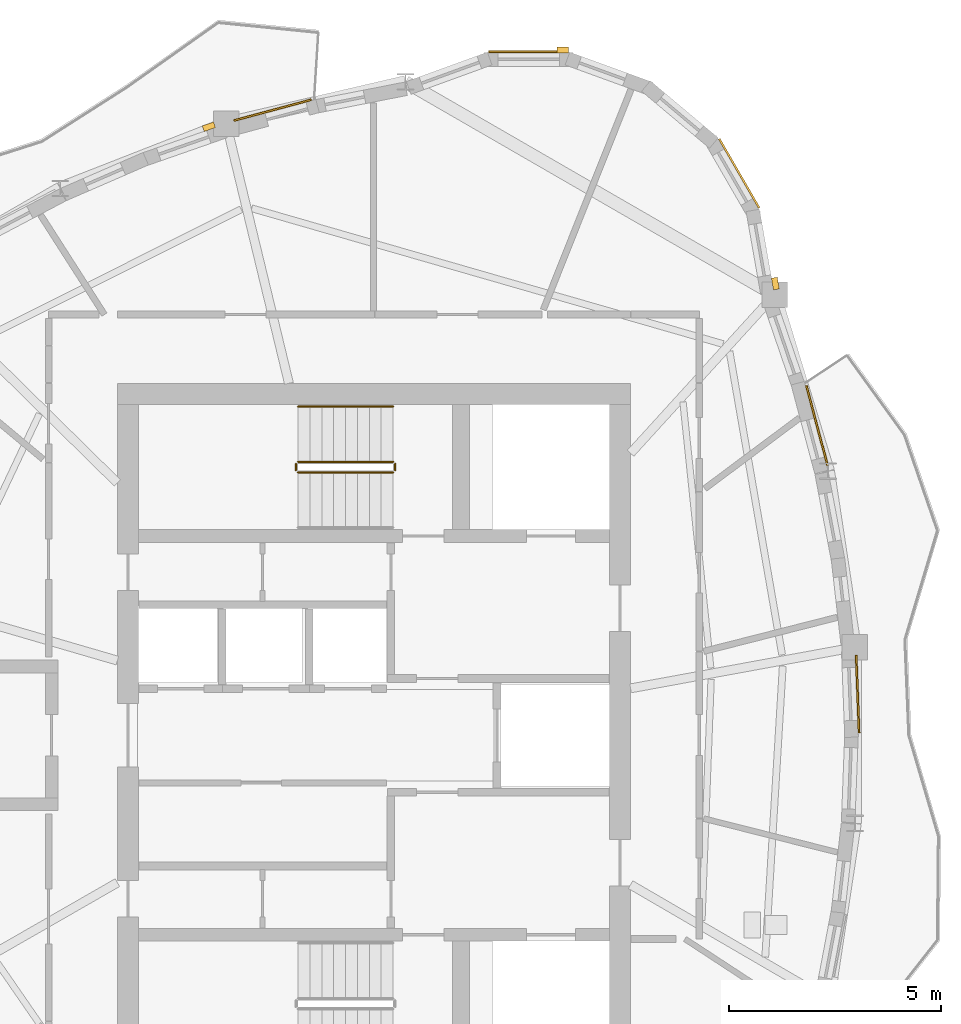
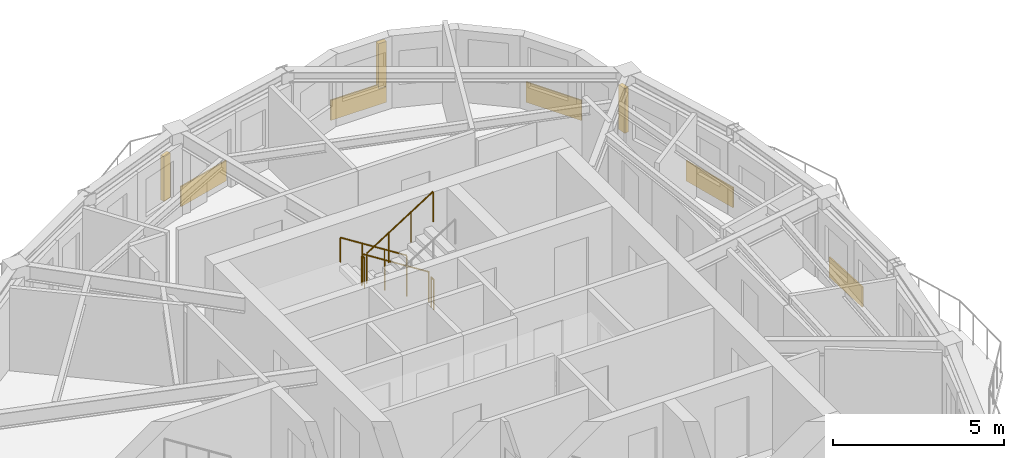
# One storey, part 10 of 11: 5 coverings, 5 railings, 3 shading devices.
"""IFC4 building model written with IfcOpenShell, lengths in metres."""

from ifc_helpers import new_model, si_unit, direction, frame, origin, origin_2d, place, context, subcontext, project, spatial, rectangle, circle, extrude, source, transform, mapped, material, layer, layer_set, type_object, element, save


model = new_model("IFC4")

# Units and contexts
model_context = context("Model", 3, precision=1e-05, world=origin(), true_north=direction((0.0, 1.0)))
body_context = subcontext(model_context, "Body", "Model", "MODEL_VIEW")
ifc_project = project(units=[si_unit("LENGTHUNIT", "METRE"), si_unit("AREAUNIT", "SQUARE_METRE"), si_unit("VOLUMEUNIT", "CUBIC_METRE"), si_unit("PLANEANGLEUNIT", "RADIAN"), si_unit("MASSUNIT", "GRAM", prefix="KILO")], contexts=[model_context])

# Site, building, storey
site_placement = place(None, origin())
site = spatial("IfcSite", under=ifc_project, at=site_placement, CompositionType="ELEMENT")
building_placement = place(site_placement, origin())
building = spatial("IfcBuilding", under=site, at=building_placement, Name="Qafzar Sky-Pleat Residences", CompositionType="ELEMENT")
storey_placement = place(building_placement, frame((0.0, 0.0, 237.199951171875)))
storey = spatial("IfcBuildingStorey", under=building, at=storey_placement, Name="L71", CompositionType="ELEMENT", Elevation=237.199951171875)

# Shading devices
ifc_material_1 = material(Name="Honed Riyadh limestone solar fin", Category="masonry")
ifc_layer_1 = layer(ifc_material_1, 0.139892578125)
ifc_layer_set_1 = layer_set([ifc_layer_1], Name="Honed Riyadh limestone solar fin")
shading_device_type = type_object("IfcShadingDeviceType", Name="SHD-FIN-STONE", PredefinedType="SHUTTER", material=ifc_layer_set_1)
shared_shape_1 = source(origin(), body_context, "Body", "SweptSolid", [
    extrude(rectangle(XDim=0.139892578125, YDim=0.280029296875, at=origin_2d()), origin(), (0.0, 0.0, 1.0), 1.60009765625),
])
for number, where, z_axis, x_axis, name in (
    (1, (39.813720703125, 36.652099609375, 0.60009765625), (0.0, 0.0, 1.0), (0.984807537751, 0.173649398471, 0.0), "L71 Limestone Solar Fin 33"),
    (2, (34.800048828125, 42.160400390625, 0.60009765625), (0.0, 0.0, 1.0), (0.0, 1.0, 0.0), "L71 Limestone Solar Fin 37"),
    (3, (26.457275390625, 40.349365234375, 0.60009765625), (0.0, 0.0, 1.0), (-0.329579093923, 0.944127968471, 0.0), "L71 Limestone Solar Fin 41"),
):
    element("IfcShadingDevice", number, at=place(storey_placement, frame(where, z_axis=z_axis, x_axis=x_axis)), inside=storey, type_object=shading_device_type, Name=name, PredefinedType="SHUTTER", context=body_context, shape_type="MappedRepresentation", body=[
        mapped(shared_shape_1, transform((0.0, 0.0, 0.0), x_axis=(1.0, 0.0, 0.0), y_axis=(0.0, 1.0, 0.0), z_axis=(0.0, 0.0, 1.0), scale=1.0)),
    ])

# Coverings
ifc_material_2 = material(Name="Honed Riyadh Tuwaiq limestone cladding", Category="masonry")
ifc_layer_2 = layer(ifc_material_2, 0.044921875)
ifc_layer_set_2 = layer_set([ifc_layer_2], Name="Honed Riyadh Tuwaiq limestone cladding")
covering_type = type_object("IfcCoveringType", Name="COV-CLAD-STONE", PredefinedType="CLADDING", material=ifc_layer_set_2)
shared_shape_2 = source(origin(), body_context, "Body", "SweptSolid", [
    extrude(rectangle(XDim=1.88134765625, YDim=0.044921875, at=origin_2d()), origin(), (0.0, 0.0, 1.0), 0.719970703125),
])
covering_1_placement = place(storey_placement, frame((33.9951171875, 42.117431640625, 0.02001953125), z_axis=(0.0, 0.0, 1.0), x_axis=(-1.0, 0.0, 0.0)))
element("IfcCovering", 4, at=covering_1_placement, inside=storey, type_object=covering_type, Name="L71 Riyadh Limestone Spandrel Cladding 37", PredefinedType="CLADDING", context=body_context, shape_type="MappedRepresentation", body=[
    mapped(shared_shape_2, transform((0.0, 0.0, 0.0), x_axis=(1.0, 0.0, 0.0), y_axis=(0.0, 1.0, 0.0), z_axis=(0.0, 0.0, 1.0), scale=1.0)),
])
shared_shape_3 = source(origin(), body_context, "Body", "SweptSolid", [
    extrude(rectangle(XDim=1.881103515625, YDim=0.044921875, at=origin_2d()), origin(), (0.0, 0.0, 1.0), 0.719970703125),
])
covering_2_placement = place(storey_placement, frame((38.960693359375, 39.25048828125, 0.02001953125), z_axis=(0.0, 0.0, 1.0), x_axis=(-0.499993018474, 0.866029434533, 0.0)))
element("IfcCovering", 5, at=covering_2_placement, inside=storey, type_object=covering_type, Name="L71 Riyadh Limestone Spandrel Cladding 34", PredefinedType="CLADDING", context=body_context, shape_type="MappedRepresentation", body=[
    mapped(shared_shape_3, transform((0.0, 0.0, 0.0), x_axis=(1.0, 0.0, 0.0), y_axis=(0.0, 1.0, 0.0), z_axis=(0.0, 0.0, 1.0), scale=1.0)),
])
shared_shape_4 = source(origin(), body_context, "Body", "SweptSolid", [
    extrude(rectangle(XDim=1.823486328125, YDim=0.044921875, at=origin_2d()), origin(), (0.0, 0.0, 1.0), 0.719970703125),
])
covering_3_placement = place(storey_placement, frame((41.7529296875, 26.975341796875, 0.02001953125), z_axis=(0.0, 0.0, 1.0), x_axis=(-0.038002853535, 0.999277630653, 0.0)))
element("IfcCovering", 6, at=covering_3_placement, inside=storey, type_object=covering_type, Name="L71 Riyadh Limestone Spandrel Cladding 28", PredefinedType="CLADDING", context=body_context, shape_type="MappedRepresentation", body=[
    mapped(shared_shape_4, transform((0.0, 0.0, 0.0), x_axis=(1.0, 0.0, 0.0), y_axis=(0.0, 1.0, 0.0), z_axis=(0.0, 0.0, 1.0), scale=1.0)),
])
shared_shape_5 = source(origin(), body_context, "Body", "SweptSolid", [
    extrude(rectangle(XDim=1.9501953125, YDim=0.044921875, at=origin_2d()), origin(), (0.0, 0.0, 1.0), 0.719970703125),
])
covering_4_placement = place(storey_placement, frame((40.795166015625, 33.30224609375, 0.02001953125), z_axis=(0.0, 0.0, 1.0), x_axis=(-0.257091020196, 0.966387193279, 0.0)))
element("IfcCovering", 7, at=covering_4_placement, inside=storey, type_object=covering_type, Name="L71 Riyadh Limestone Spandrel Cladding 31", PredefinedType="CLADDING", context=body_context, shape_type="MappedRepresentation", body=[
    mapped(shared_shape_5, transform((0.0, 0.0, 0.0), x_axis=(1.0, 0.0, 0.0), y_axis=(0.0, 1.0, 0.0), z_axis=(0.0, 0.0, 1.0), scale=1.0)),
])
shared_shape_6 = source(origin(), body_context, "Body", "SweptSolid", [
    extrude(rectangle(XDim=1.88720703125, YDim=0.044921875, at=origin_2d()), origin(), (0.0, 0.0, 1.0), 0.719970703125),
])
covering_5_placement = place(storey_placement, frame((27.960205078125, 40.7412109375, 0.02001953125), z_axis=(0.0, 0.0, 1.0), x_axis=(-0.965466876139, -0.260525835722, 0.0)))
element("IfcCovering", 8, at=covering_5_placement, inside=storey, type_object=covering_type, Name="L71 Riyadh Limestone Spandrel Cladding 40", PredefinedType="CLADDING", context=body_context, shape_type="MappedRepresentation", body=[
    mapped(shared_shape_6, transform((0.0, 0.0, 0.0), x_axis=(1.0, 0.0, 0.0), y_axis=(0.0, 1.0, 0.0), z_axis=(0.0, 0.0, 1.0), scale=1.0)),
])

# Railings
ifc_material_3 = material(Name="Painted Steel S355 stair guardrail", Category="steel")
railing_type_1 = type_object("IfcRailingType", Name="RAIL-STAIR-GUARD", PredefinedType="GUARDRAIL", material=ifc_material_3)
shared_shape_7 = source(origin(), body_context, "Body", "SweptSolid", [
    extrude(circle(Radius=0.02392578125, at=origin_2d()), frame((0.0, 0.0, 1.076171875), z_axis=(0.0, -1.0, 0.0), x_axis=(1.0, 0.0, 0.0)), (0.0, 0.0, 1.0), 0.14990234375),
    extrude(circle(Radius=0.02099609375, at=origin_2d()), origin(), (0.0, 0.0, 1.0), 1.052001953125),
    extrude(circle(Radius=0.02099609375, at=origin_2d()), frame((0.0, -0.14990234375, 0.0)), (0.0, 0.0, 1.0), 1.052001953125),
])
for number, where, name in (
    (9, (28.510009765625, 32.39990234375, 1.60009765625), "L71 ST2 stair guard 2"),
    (10, (30.85009765625, 32.39990234375, 0.0), "L71 ST2 stair guard 4"),
):
    element("IfcRailing", number, at=place(storey_placement, frame(where)), inside=storey, type_object=railing_type_1, Name=name, PredefinedType="GUARDRAIL", context=body_context, shape_type="MappedRepresentation", body=[
        mapped(shared_shape_7, transform((0.0, 0.0, 0.0), x_axis=(1.0, 0.0, 0.0), y_axis=(0.0, 1.0, 0.0), z_axis=(0.0, 0.0, 1.0), scale=1.0)),
    ])
shared_shape_8 = source(origin(), body_context, "Body", "SweptSolid", [
    extrude(circle(Radius=0.02392578125, at=origin_2d()), frame((0.0, 0.0, 1.076171875), z_axis=(0.8442293374, 0.0, 0.53598211339), x_axis=(0.0, 1.0, 0.0)), (0.0, 0.0, 1.0), 2.6533203125),
    extrude(circle(Radius=0.02099609375, at=origin_2d()), origin(), (0.0, 0.0, 1.0), 1.052001953125),
    extrude(circle(Radius=0.02099609375, at=origin_2d()), frame((0.74658203125, 0.0, 0.47412109375)), (0.0, 0.0, 1.0), 1.052001953125),
    extrude(circle(Radius=0.02099609375, at=origin_2d()), frame((1.493408203125, 0.0, 0.947998046875)), (0.0, 0.0, 1.0), 1.052001953125),
    extrude(circle(Radius=0.02099609375, at=origin_2d()), frame((2.239990234375, 0.0, 1.422119140625)), (0.0, 0.0, 1.0), 1.052001953125),
])
railing_1_placement = place(storey_placement, frame((28.56005859375, 32.199951171875, 1.77783203125)))
element("IfcRailing", 11, at=railing_1_placement, inside=storey, type_object=railing_type_1, Name="L71 ST2 stair guard 3", PredefinedType="GUARDRAIL", context=body_context, shape_type="MappedRepresentation", body=[
    mapped(shared_shape_8, transform((0.0, 0.0, 0.0), x_axis=(1.0, 0.0, 0.0), y_axis=(0.0, 1.0, 0.0), z_axis=(0.0, 0.0, 1.0), scale=1.0)),
])
shared_shape_9 = source(origin(), body_context, "Body", "SweptSolid", [
    extrude(circle(Radius=0.02392578125, at=origin_2d()), frame((0.0, 0.0, 1.076171875), z_axis=(-0.84418770128, 0.0, 0.536047689118), x_axis=(0.0, -1.0, 0.0)), (0.0, 0.0, 1.0), 2.6533203125),
    extrude(circle(Radius=0.02099609375, at=origin_2d()), origin(), (0.0, 0.0, 1.0), 1.052001953125),
    extrude(circle(Radius=0.02099609375, at=origin_2d()), frame((-0.74658203125, 0.0, 0.47412109375)), (0.0, 0.0, 1.0), 1.052001953125),
    extrude(circle(Radius=0.02099609375, at=origin_2d()), frame((-1.493408203125, 0.0, 0.9482421875)), (0.0, 0.0, 1.0), 1.052001953125),
    extrude(circle(Radius=0.02099609375, at=origin_2d()), frame((-2.239990234375, 0.0, 1.42236328125)), (0.0, 0.0, 1.0), 1.052001953125),
])
railing_2_placement = place(storey_placement, frame((30.800048828125, 32.449951171875, 0.177734375)))
element("IfcRailing", 12, at=railing_2_placement, inside=storey, type_object=railing_type_1, Name="L71 ST2 stair guard 1", PredefinedType="GUARDRAIL", context=body_context, shape_type="MappedRepresentation", body=[
    mapped(shared_shape_9, transform((0.0, 0.0, 0.0), x_axis=(1.0, 0.0, 0.0), y_axis=(0.0, 1.0, 0.0), z_axis=(0.0, 0.0, 1.0), scale=1.0)),
])
ifc_material_4 = material(Name="Brushed stainless steel handrail", Category="steel")
railing_type_2 = type_object("IfcRailingType", Name="RAIL-STAIR-HAND", PredefinedType="HANDRAIL", material=ifc_material_4)
shared_shape_10 = source(origin(), body_context, "Body", "SweptSolid", [
    extrude(circle(Radius=0.02392578125, at=origin_2d()), frame((0.0, 0.0, 0.8759765625), z_axis=(-0.84418770128, 0.0, 0.536047689118), x_axis=(0.0, -1.0, 0.0)), (0.0, 0.0, 1.0), 2.6533203125),
    extrude(circle(Radius=0.02099609375, at=origin_2d()), origin(), (0.0, 0.0, 1.0), 0.851806640625),
    extrude(circle(Radius=0.02099609375, at=origin_2d()), frame((-0.74658203125, 0.0, 0.47412109375)), (0.0, 0.0, 1.0), 0.851806640625),
    extrude(circle(Radius=0.02099609375, at=origin_2d()), frame((-1.493408203125, 0.0, 0.9482421875)), (0.0, 0.0, 1.0), 0.851806640625),
    extrude(circle(Radius=0.02099609375, at=origin_2d()), frame((-2.239990234375, 0.0, 1.42236328125)), (0.0, 0.0, 1.0), 0.851806640625),
])
railing_3_placement = place(storey_placement, frame((30.800048828125, 33.75, 0.177734375)))
element("IfcRailing", 13, at=railing_3_placement, inside=storey, type_object=railing_type_2, Name="L71 ST2 stair handrail 1", PredefinedType="HANDRAIL", context=body_context, shape_type="MappedRepresentation", body=[
    mapped(shared_shape_10, transform((0.0, 0.0, 0.0), x_axis=(1.0, 0.0, 0.0), y_axis=(0.0, 1.0, 0.0), z_axis=(0.0, 0.0, 1.0), scale=1.0)),
])

save(model, "model.ifc")
